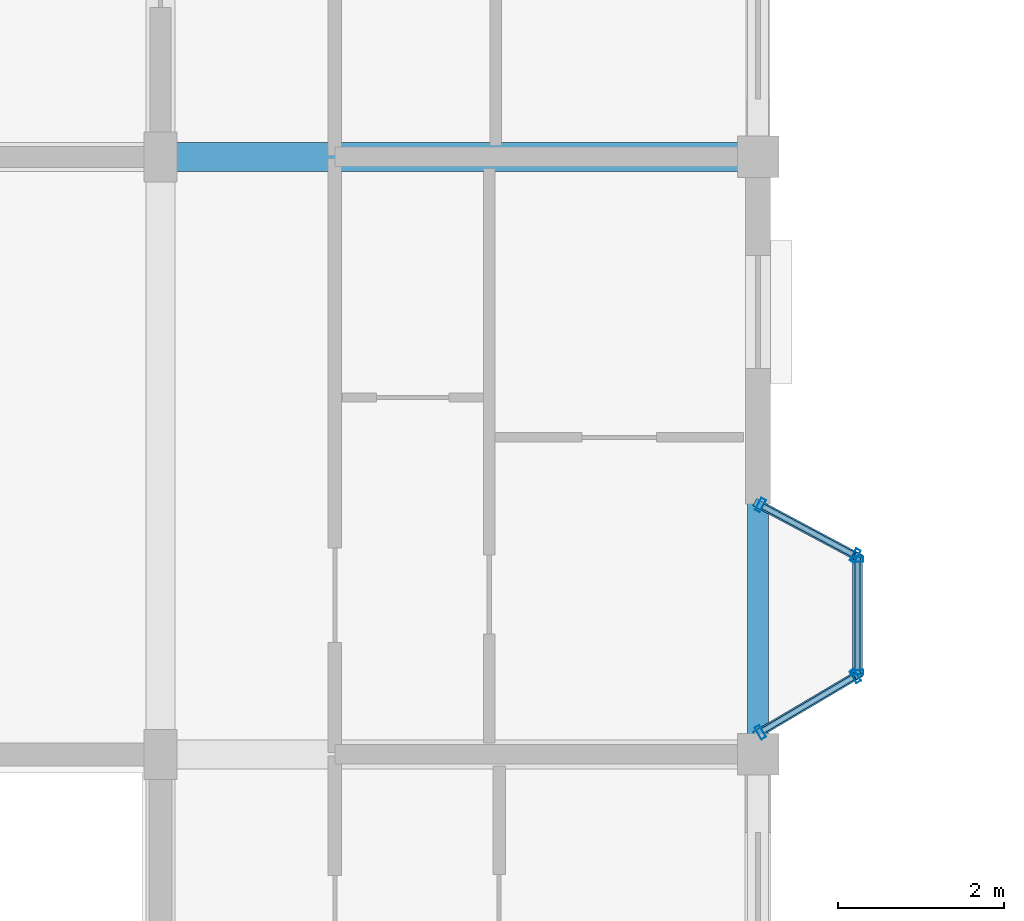
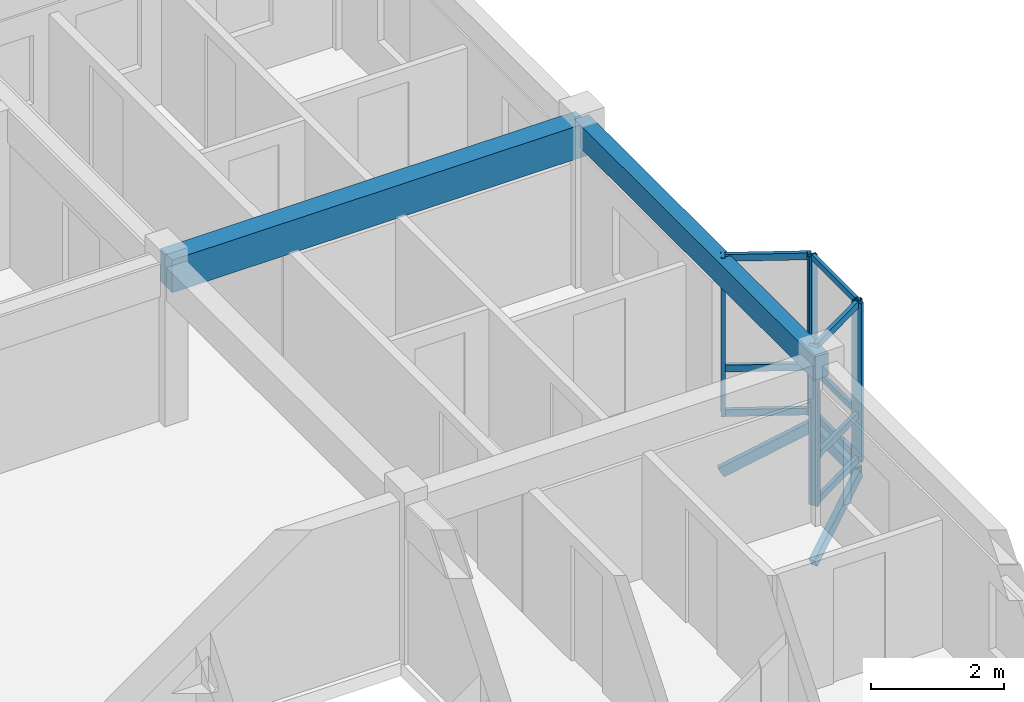
# One storey, part 20 of 70: 18 members, 2 beams, 3 elements without a shape of their own.
"""IFC4 building model written with IfcOpenShell, lengths in metres."""

from ifc_helpers import new_model, si_unit, direction, frame, origin, origin_2d, place, context, subcontext, project, spatial, rectangle, hollow_rectangle, extrude, material, layer, layer_set, material_profile, profile_set, type_object, element, aggregate, save


model = new_model("IFC4")

# Units and contexts
model_context = context("Model", 3, precision=1e-05, world=origin(), true_north=direction((0.0, 1.0)))
body_context = subcontext(model_context, "Body", "Model", "MODEL_VIEW")
ifc_project = project(units=[si_unit("LENGTHUNIT", "METRE"), si_unit("AREAUNIT", "SQUARE_METRE"), si_unit("VOLUMEUNIT", "CUBIC_METRE"), si_unit("PLANEANGLEUNIT", "RADIAN"), si_unit("MASSUNIT", "GRAM", prefix="KILO"), si_unit("THERMODYNAMICTEMPERATUREUNIT", "KELVIN"), si_unit("POWERUNIT", "WATT")], contexts=[model_context])

# Site, building, storey
site_placement = place(None, origin())
site = spatial("IfcSite", under=ifc_project, at=site_placement, CompositionType="ELEMENT")
building_placement = place(site_placement, origin())
building = spatial("IfcBuilding", under=site, at=building_placement, Name="Tavuni Mirador Residences", CompositionType="ELEMENT")
storey_placement = place(building_placement, frame((0.0, 0.0, 23.39990234375)))
storey = spatial("IfcBuildingStorey", under=building, at=storey_placement, Name="L07", CompositionType="ELEMENT", Elevation=23.39990234375)

# Beams
ifc_material_1 = material(Name="Precast concrete C40/50", Category="concrete")
ifc_material_profile_1 = material_profile(ifc_material_1, rectangle(XDim=0.35009765625, YDim=0.60009765625, at=origin_2d()), Name="PC 350x600", Category="concrete")
ifc_profile_set_1 = profile_set([ifc_material_profile_1], Name="Precast concrete C40/50")
beam_type_1 = type_object("IfcBeamType", Name="BT-B600", PredefinedType="BEAM", material=ifc_profile_set_1)
beam_1_placement = place(storey_placement, frame((18.0, 86.39990234375, 2.610107421875), z_axis=(1.0, 0.0, 0.0), x_axis=(0.0, 1.0, 0.0)))
element("IfcBeam", 1, at=beam_1_placement, inside=storey, type_object=beam_type_1, Name="BMX-BLK-B-L07-02-03", PredefinedType="BEAM", context=body_context, shape_type="SweptSolid", body=[
    extrude(rectangle(XDim=0.35009765625, YDim=0.60009765625, at=origin_2d()), origin(), (0.0, 0.0, 1.0), 7.199951171875),
])
ifc_material_profile_2 = material_profile(ifc_material_1, rectangle(XDim=0.25, YDim=0.419921875, at=origin_2d()), Name="PC 250x420", Category="concrete")
ifc_profile_set_2 = profile_set([ifc_material_profile_2], Name="Precast concrete C40/50")
beam_type_2 = type_object("IfcBeamType", Name="BT-SP420", PredefinedType="SPANDREL", material=ifc_profile_set_2)
beam_2_placement = place(storey_placement, frame((25.199951171875, 79.199951171875, 2.7001953125), z_axis=(0.0, 1.0, 0.0), x_axis=(-1.0, 0.0, 0.0)))
element("IfcBeam", 2, at=beam_2_placement, inside=storey, type_object=beam_type_2, Name="BMY-BLK-B-L07-03-02", PredefinedType="SPANDREL", context=body_context, shape_type="SweptSolid", body=[
    extrude(rectangle(XDim=0.25, YDim=0.419921875, at=origin_2d()), origin(), (0.0, 0.0, 1.0), 7.199951171875),
])

# Curtain wall, members
ifc_material_2 = material(Name="Anodised aluminium", Category="aluminium")
ifc_layer_1 = layer(ifc_material_2, 0.1650390625, Name="Anodised aluminium", Category="aluminium")
ifc_layer_set_1 = layer_set([ifc_layer_1], Name="Anodised aluminium")
curtain_wall_type_1 = type_object("IfcCurtainWallType", Name="CWT-MIR-A", PredefinedType="NOTDEFINED", material=ifc_layer_set_1)
curtain_wall_1_placement = place(storey_placement, origin())
curtain_wall_1 = element("IfcCurtainWall", 3, at=curtain_wall_1_placement, inside=storey, type_object=curtain_wall_type_1, Name="CW-MIR-B-E2-L07-MF", PredefinedType="NOTDEFINED")
ifc_material_profile_3 = material_profile(ifc_material_2, hollow_rectangle(XDim=0.06005859375, YDim=0.139892578125, WallThickness=0.00390625, at=origin_2d()), Name="ALU 60x140x4.0", Category="aluminium")
ifc_profile_set_3 = profile_set([ifc_material_profile_3], Name="Anodised aluminium")
member_type_1 = type_object("IfcMemberType", Name="CWM-140", PredefinedType="MULLION", material=ifc_profile_set_3)
member_1_placement = place(storey_placement, frame((26.39990234375, 80.18994140625, 0.0), z_axis=(0.0, 0.0, 1.0), x_axis=(0.0, 1.0, 0.0)))
member_1 = element("IfcMember", 4, at=member_1_placement, type_object=member_type_1, Name="CW-01 mullion 1", PredefinedType="MULLION", context=body_context, shape_type="SweptSolid", body=[
    extrude(hollow_rectangle(XDim=0.06005859375, YDim=0.139892578125, WallThickness=0.00390625, at=origin_2d()), origin(), (0.0, 0.0, 1.0), 2.91015625),
])
member_2_placement = place(storey_placement, frame((26.39990234375, 81.550048828125, 0.0), z_axis=(0.0, 0.0, 1.0), x_axis=(0.0, 1.0, 0.0)))
member_2 = element("IfcMember", 5, at=member_2_placement, type_object=member_type_1, Name="CW-01 mullion 2", PredefinedType="MULLION", context=body_context, shape_type="SweptSolid", body=[
    extrude(hollow_rectangle(XDim=0.06005859375, YDim=0.139892578125, WallThickness=0.00390625, at=origin_2d()), origin(), (0.0, 0.0, 1.0), 2.91015625),
])

ifc_layer_2 = layer(ifc_material_2, 0.159912109375, Name="Anodised aluminium", Category="aluminium")
ifc_layer_set_2 = layer_set([ifc_layer_2], Name="Anodised aluminium")
curtain_wall_type_2 = type_object("IfcCurtainWallType", Name="CWT-MIR-D", PredefinedType="NOTDEFINED", material=ifc_layer_set_2)
curtain_wall_2_placement = place(storey_placement, origin())
curtain_wall_2 = element("IfcCurtainWall", 6, at=curtain_wall_2_placement, inside=storey, type_object=curtain_wall_type_2, Name="CW-MIR-B-E2-L07-M1", PredefinedType="NOTDEFINED")
ifc_material_profile_4 = material_profile(ifc_material_2, hollow_rectangle(XDim=0.06494140625, YDim=0.1650390625, WallThickness=0.00439453125, at=origin_2d()), Name="ALU 65x165x4.5", Category="aluminium")
ifc_profile_set_4 = profile_set([ifc_material_profile_4], Name="Anodised aluminium")
member_type_2 = type_object("IfcMemberType", Name="CWM-165", PredefinedType="MULLION", material=ifc_profile_set_4)
member_3_placement = place(storey_placement, frame((25.22802734375, 79.466552734375, 0.0), z_axis=(0.0, 0.0, 1.0), x_axis=(0.860640830284, 0.509212491254, 0.0)))
member_3 = element("IfcMember", 7, at=member_3_placement, type_object=member_type_2, Name="CW-04 mullion 1", PredefinedType="MULLION", context=body_context, shape_type="SweptSolid", body=[
    extrude(hollow_rectangle(XDim=0.06494140625, YDim=0.1650390625, WallThickness=0.00439453125, at=origin_2d()), origin(), (0.0, 0.0, 1.0), 2.91015625),
])
member_4_placement = place(storey_placement, frame((26.3720703125, 80.1435546875, 0.0), z_axis=(0.0, 0.0, 1.0), x_axis=(0.860640830284, 0.509212491254, 0.0)))
member_4 = element("IfcMember", 8, at=member_4_placement, type_object=member_type_2, Name="CW-04 mullion 2", PredefinedType="MULLION", context=body_context, shape_type="SweptSolid", body=[
    extrude(hollow_rectangle(XDim=0.06494140625, YDim=0.1650390625, WallThickness=0.00439453125, at=origin_2d()), origin(), (0.0, 0.0, 1.0), 2.91015625),
])

ifc_layer_3 = layer(ifc_material_2, 0.14990234375, Name="Anodised aluminium", Category="aluminium")
ifc_layer_set_3 = layer_set([ifc_layer_3], Name="Anodised aluminium")
curtain_wall_type_3 = type_object("IfcCurtainWallType", Name="CWT-MIR-B", PredefinedType="NOTDEFINED", material=ifc_layer_set_3)
curtain_wall_3_placement = place(storey_placement, origin())
curtain_wall_3 = element("IfcCurtainWall", 9, at=curtain_wall_3_placement, inside=storey, type_object=curtain_wall_type_3, Name="CW-MIR-B-E2-L07-M2", PredefinedType="NOTDEFINED")
member_5_placement = place(storey_placement, frame((26.371337890625, 81.59521484375, 0.0), z_axis=(0.0, 0.0, 1.0), x_axis=(-0.882352941175, 0.470588235296, 0.0)))
member_5 = element("IfcMember", 10, at=member_5_placement, type_object=member_type_2, Name="CW-02 mullion 1", PredefinedType="MULLION", context=body_context, shape_type="SweptSolid", body=[
    extrude(hollow_rectangle(XDim=0.06494140625, YDim=0.1650390625, WallThickness=0.00439453125, at=origin_2d()), origin(), (0.0, 0.0, 1.0), 2.91015625),
])
member_6_placement = place(storey_placement, frame((25.228759765625, 82.20458984375, 0.0), z_axis=(0.0, 0.0, 1.0), x_axis=(-0.882352941175, 0.470588235296, 0.0)))
member_6 = element("IfcMember", 11, at=member_6_placement, type_object=member_type_2, Name="CW-02 mullion 2", PredefinedType="MULLION", context=body_context, shape_type="SweptSolid", body=[
    extrude(hollow_rectangle(XDim=0.06494140625, YDim=0.1650390625, WallThickness=0.00439453125, at=origin_2d()), origin(), (0.0, 0.0, 1.0), 2.91015625),
])

# Member
ifc_material_profile_5 = material_profile(ifc_material_2, hollow_rectangle(XDim=0.06005859375, YDim=0.110107421875, WallThickness=0.00390625, at=origin_2d()), Name="ALU 60x110x4.0", Category="aluminium")
ifc_profile_set_5 = profile_set([ifc_material_profile_5], Name="Anodised aluminium")
member_type_3 = type_object("IfcMemberType", Name="CWT-110", PredefinedType="USERDEFINED", material=ifc_profile_set_5)
member_7_placement = place(storey_placement, frame((26.39990234375, 80.219970703125, 0.030029296875), z_axis=(0.0, 1.0, 0.0), x_axis=(-1.0, 0.0, 0.0)))
member_7 = element("IfcMember", 12, at=member_7_placement, type_object=member_type_3, Name="CW-01 transom 1.1", ObjectType="TRANSOM", PredefinedType="USERDEFINED", context=body_context, shape_type="SweptSolid", body=[
    extrude(hollow_rectangle(XDim=0.06005859375, YDim=0.110107421875, WallThickness=0.00390625, at=origin_2d()), origin(), (0.0, 0.0, 1.0), 1.300048828125),
])

member_8_placement = place(storey_placement, frame((26.39990234375, 80.219970703125, 0.85009765625), z_axis=(0.0, 1.0, 0.0), x_axis=(-1.0, 0.0, 0.0)))
member_8 = element("IfcMember", 13, at=member_8_placement, type_object=member_type_3, Name="CW-01 transom 1.2", ObjectType="TRANSOM", PredefinedType="USERDEFINED", context=body_context, shape_type="SweptSolid", body=[
    extrude(hollow_rectangle(XDim=0.06005859375, YDim=0.110107421875, WallThickness=0.00390625, at=origin_2d()), origin(), (0.0, 0.0, 1.0), 1.300048828125),
])

member_9_placement = place(storey_placement, frame((26.39990234375, 80.219970703125, 2.880126953125), z_axis=(0.0, 1.0, 0.0), x_axis=(-1.0, 0.0, 0.0)))
member_9 = element("IfcMember", 14, at=member_9_placement, type_object=member_type_3, Name="CW-01 transom 1.3", ObjectType="TRANSOM", PredefinedType="USERDEFINED", context=body_context, shape_type="SweptSolid", body=[
    extrude(hollow_rectangle(XDim=0.06005859375, YDim=0.110107421875, WallThickness=0.00390625, at=origin_2d()), origin(), (0.0, 0.0, 1.0), 1.300048828125),
])

aggregate(curtain_wall_1, [member_1, member_2, member_7, member_8, member_9])

ifc_material_profile_6 = material_profile(ifc_material_2, hollow_rectangle(XDim=0.06494140625, YDim=0.125, WallThickness=0.00439453125, at=origin_2d()), Name="ALU 65x125x4.5", Category="aluminium")
ifc_profile_set_6 = profile_set([ifc_material_profile_6], Name="Anodised aluminium")
member_type_4 = type_object("IfcMemberType", Name="CWT-125", PredefinedType="USERDEFINED", material=ifc_profile_set_6)
member_10_placement = place(storey_placement, frame((25.255859375, 79.483154296875, 0.03271484375), z_axis=(0.860645766749, 0.509204147839, 0.0), x_axis=(-0.509204147839, 0.860645766749, 0.0)))
member_10 = element("IfcMember", 15, at=member_10_placement, type_object=member_type_4, Name="CW-04 transom 1.1", ObjectType="TRANSOM", PredefinedType="USERDEFINED", context=body_context, shape_type="SweptSolid", body=[
    extrude(hollow_rectangle(XDim=0.06494140625, YDim=0.125, WallThickness=0.00439453125, at=origin_2d()), origin(), (0.0, 0.0, 1.0), 1.264404296875),
])

member_11_placement = place(storey_placement, frame((25.255859375, 79.483154296875, 0.85009765625), z_axis=(0.860645766749, 0.509204147839, 0.0), x_axis=(-0.509204147839, 0.860645766749, 0.0)))
member_11 = element("IfcMember", 16, at=member_11_placement, type_object=member_type_4, Name="CW-04 transom 1.2", ObjectType="TRANSOM", PredefinedType="USERDEFINED", context=body_context, shape_type="SweptSolid", body=[
    extrude(hollow_rectangle(XDim=0.06494140625, YDim=0.125, WallThickness=0.00439453125, at=origin_2d()), origin(), (0.0, 0.0, 1.0), 1.264404296875),
])

member_12_placement = place(storey_placement, frame((25.255859375, 79.483154296875, 2.877685546875), z_axis=(0.860645766749, 0.509204147839, 0.0), x_axis=(-0.509204147839, 0.860645766749, 0.0)))
member_12 = element("IfcMember", 17, at=member_12_placement, type_object=member_type_4, Name="CW-04 transom 1.3", ObjectType="TRANSOM", PredefinedType="USERDEFINED", context=body_context, shape_type="SweptSolid", body=[
    extrude(hollow_rectangle(XDim=0.06494140625, YDim=0.125, WallThickness=0.00439453125, at=origin_2d()), origin(), (0.0, 0.0, 1.0), 1.264404296875),
])

aggregate(curtain_wall_2, [member_3, member_4, member_10, member_11, member_12])

member_13_placement = place(storey_placement, frame((26.342529296875, 81.610595703125, 0.03271484375), z_axis=(-0.882325465843, 0.470639747922, 0.0), x_axis=(-0.470639747922, -0.882325465843, 0.0)))
member_13 = element("IfcMember", 18, at=member_13_placement, type_object=member_type_4, Name="CW-02 transom 1.1", ObjectType="TRANSOM", PredefinedType="USERDEFINED", context=body_context, shape_type="SweptSolid", body=[
    extrude(hollow_rectangle(XDim=0.06494140625, YDim=0.125, WallThickness=0.00439453125, at=origin_2d()), origin(), (0.0, 0.0, 1.0), 1.22998046875),
])

member_14_placement = place(storey_placement, frame((26.342529296875, 81.610595703125, 0.85009765625), z_axis=(-0.882325465843, 0.470639747922, 0.0), x_axis=(-0.470639747922, -0.882325465843, 0.0)))
member_14 = element("IfcMember", 19, at=member_14_placement, type_object=member_type_4, Name="CW-02 transom 1.2", ObjectType="TRANSOM", PredefinedType="USERDEFINED", context=body_context, shape_type="SweptSolid", body=[
    extrude(hollow_rectangle(XDim=0.06494140625, YDim=0.125, WallThickness=0.00439453125, at=origin_2d()), origin(), (0.0, 0.0, 1.0), 1.22998046875),
])

member_15_placement = place(storey_placement, frame((26.342529296875, 81.610595703125, 2.877685546875), z_axis=(-0.882325465843, 0.470639747922, 0.0), x_axis=(-0.470639747922, -0.882325465843, 0.0)))
member_15 = element("IfcMember", 20, at=member_15_placement, type_object=member_type_4, Name="CW-02 transom 1.3", ObjectType="TRANSOM", PredefinedType="USERDEFINED", context=body_context, shape_type="SweptSolid", body=[
    extrude(hollow_rectangle(XDim=0.06494140625, YDim=0.125, WallThickness=0.00439453125, at=origin_2d()), origin(), (0.0, 0.0, 1.0), 1.22998046875),
])

aggregate(curtain_wall_3, [member_5, member_6, member_13, member_14, member_15])

# Members
ifc_material_3 = material(Name="Structural steel S355", Category="steel")
ifc_material_profile_7 = material_profile(ifc_material_3, hollow_rectangle(XDim=0.10009765625, YDim=0.179931640625, WallThickness=0.008056640625, at=origin_2d()), Name="RHS 180x100x8.0", Category="steel")
ifc_profile_set_7 = profile_set([ifc_material_profile_7], Name="Structural steel S355")
member_type_5 = type_object("IfcMemberType", Name="MT-BR-RHS180", PredefinedType="BRACE", material=ifc_profile_set_7)
member_16_placement = place(storey_placement, frame((25.199951171875, 79.449951171875, -1.0498046875), z_axis=(0.744217227224, 0.440322217043, 0.502251992411), x_axis=(-0.509207087026, 0.860644027762, 0.0)))
element("IfcMember", 21, at=member_16_placement, inside=storey, type_object=member_type_5, Name="MBRK-MIR-B-E2-L07-1", PredefinedType="BRACE", context=body_context, shape_type="SweptSolid", body=[
    extrude(hollow_rectangle(XDim=0.10009765625, YDim=0.179931640625, WallThickness=0.008056640625, at=origin_2d()), origin(), (0.0, 0.0, 1.0), 1.6123046875),
])
member_17_placement = place(storey_placement, frame((25.199951171875, 82.219970703125, -1.0498046875), z_axis=(0.758136069861, -0.404287820774, 0.511645441247), x_axis=(0.47054164445, 0.882377788047, 0.0)))
element("IfcMember", 22, at=member_17_placement, inside=storey, type_object=member_type_5, Name="MBRK-MIR-B-E2-L07-2", PredefinedType="BRACE", context=body_context, shape_type="SweptSolid", body=[
    extrude(hollow_rectangle(XDim=0.10009765625, YDim=0.179931640625, WallThickness=0.008056640625, at=origin_2d()), origin(), (0.0, 0.0, 1.0), 1.582763671875),
])
ifc_material_profile_8 = material_profile(ifc_material_3, hollow_rectangle(XDim=0.1201171875, YDim=0.199951171875, WallThickness=0.010009765625, at=origin_2d()), Name="RHS 200x120x10.0", Category="steel")
ifc_profile_set_8 = profile_set([ifc_material_profile_8], Name="Structural steel S355")
member_type_6 = type_object("IfcMemberType", Name="MT-ST-RHS200", PredefinedType="STRUT", material=ifc_profile_set_8)
member_18_placement = place(storey_placement, frame((26.39990234375, 80.159912109375, -0.239990234375), z_axis=(0.0, 1.0, 0.0), x_axis=(-1.0, 0.0, 0.0)))
element("IfcMember", 23, at=member_18_placement, inside=storey, type_object=member_type_6, Name="MRIM-MIR-B-E2-L07", PredefinedType="STRUT", context=body_context, shape_type="SweptSolid", body=[
    extrude(hollow_rectangle(XDim=0.1201171875, YDim=0.199951171875, WallThickness=0.010009765625, at=origin_2d()), origin(), (0.0, 0.0, 1.0), 1.420166015625),
])

save(model, "model.ifc")
